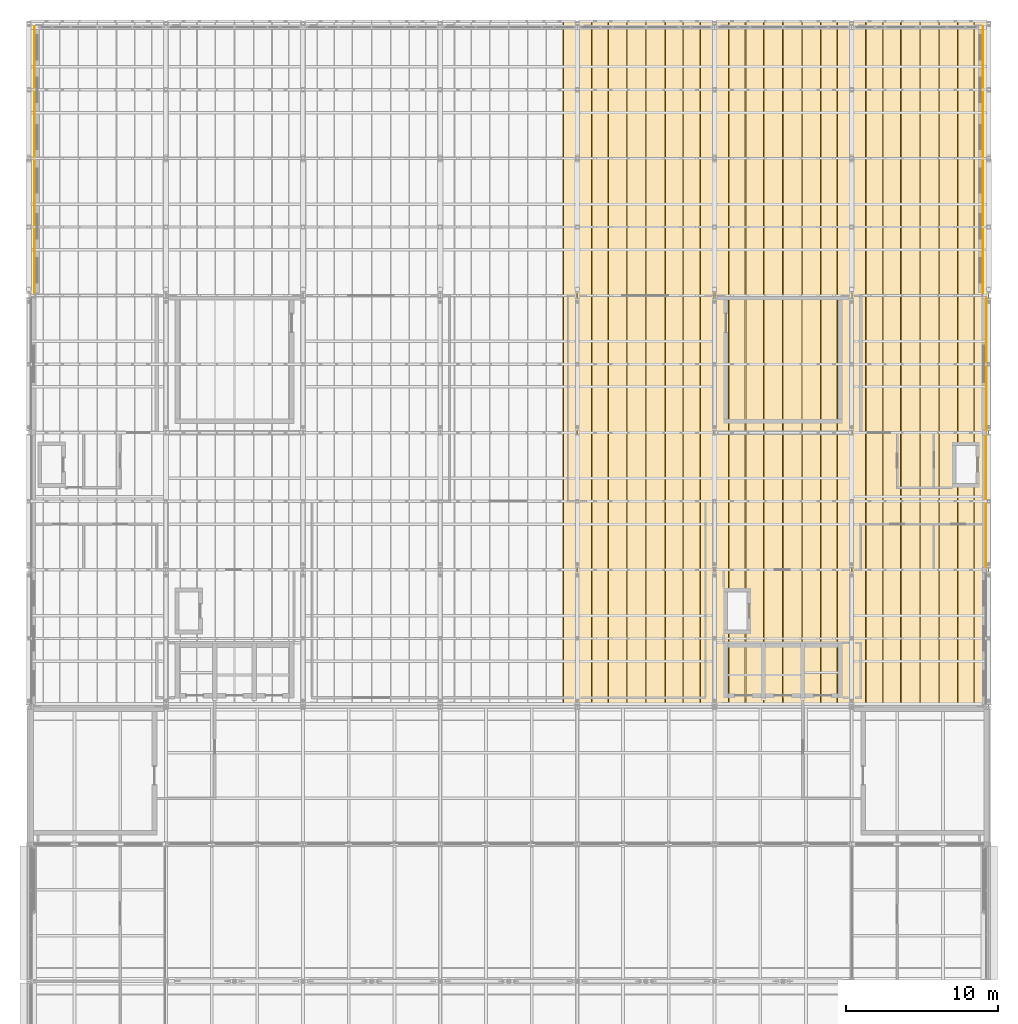
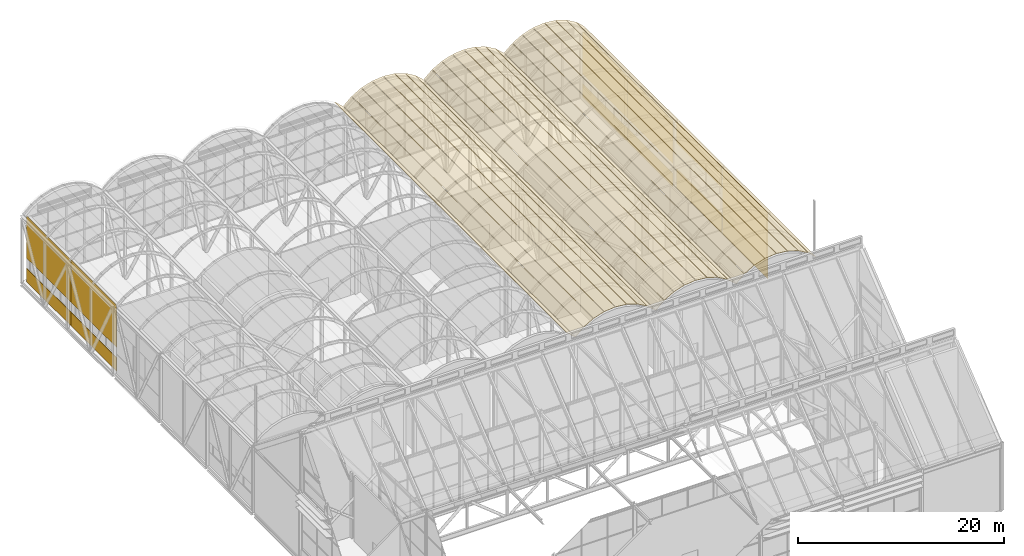
# One storey, part 144 of 144: 36 coverings.
"""IFC4 building model written with IfcOpenShell, lengths in metres."""

from ifc_helpers import new_model, si_unit, direction, frame, origin, origin_2d, place, context, subcontext, project, spatial, polyline, rectangle, outline, extrude, material, layer, layer_set, type_object, element, save


model = new_model("IFC4")

# Units and contexts
model_context = context("Model", 3, precision=1e-05, world=origin(), true_north=direction((0.0, 1.0)))
body_context = subcontext(model_context, "Body", "Model", "MODEL_VIEW")
ifc_project = project(units=[si_unit("LENGTHUNIT", "METRE"), si_unit("AREAUNIT", "SQUARE_METRE"), si_unit("VOLUMEUNIT", "CUBIC_METRE"), si_unit("PLANEANGLEUNIT", "RADIAN"), si_unit("MASSUNIT", "GRAM", prefix="KILO")], contexts=[model_context])

# Site, building, storey
site_placement = place(None, origin())
site = spatial("IfcSite", under=ifc_project, at=site_placement, CompositionType="ELEMENT")
building_placement = place(site_placement, origin())
building = spatial("IfcBuilding", under=site, at=building_placement, Name="Shorebreak Coast Museum", CompositionType="ELEMENT")
storey_placement = place(building_placement, frame((0.0, 0.0, 36.0)))
storey = spatial("IfcBuildingStorey", under=building, at=storey_placement, Name="L06", CompositionType="ELEMENT", Elevation=36.0)

# Coverings
ifc_material_1 = material(Name="Zinc")
ifc_layer_1 = layer(ifc_material_1, 0.0400390625)
ifc_layer_set_1 = layer_set([ifc_layer_1], Name="Zinc")
covering_type_1 = type_object("IfcCoveringType", Name="Zinc standing-seam cladding 40", PredefinedType="CLADDING", material=ifc_layer_set_1)
for number, where, z_axis, x_axis, name in (
    (1, (89.07861328125, 90.0, 8.881591796875), (0.668318843385, 0.0, 0.74387493813), (0.74387493813, 0.0, -0.668318843385), "Vault cladding V4-F8"),
    (2, (90.02001953125, 90.0, 8.07177734375), (-0.668318843385, 0.0, 0.74387493813), (0.74387493813, 0.0, 0.668318843385), "Vault cladding V5-F1"),
):
    element("IfcCovering", number, at=place(storey_placement, frame(where, z_axis=z_axis, x_axis=x_axis)), inside=storey, type_object=covering_type_1, Name=name, PredefinedType="CLADDING", context=body_context, shape_type="SweptSolid", body=[
        extrude(outline(polyline([(0.0, 0.0), (1.2117187195020975, 0.0), (1.2117187195020975, 45.0), (0.0, 45.0), (0.0, 0.0)])), origin(), (0.0, 0.0, -1.0), 0.0400390625),
    ])
covering_1_placement = place(storey_placement, frame((90.96142578125, 90.0, 8.9033203125), z_axis=(-0.49936995657, 0.0, 0.866388854081), x_axis=(0.866388854081, 0.0, 0.49936995657)))
element("IfcCovering", 3, at=covering_1_placement, inside=storey, type_object=covering_type_1, Name="Vault cladding V5-F2", PredefinedType="CLADDING", context=body_context, shape_type="SweptSolid", body=[
    extrude(outline(polyline([(0.0, 0.0), (1.2193098738507784, 0.0), (1.2193098738507784, 45.0), (0.0, 45.0), (0.0, 0.0)])), origin(), (0.0, 0.0, -1.0), 0.0400390625),
])
covering_2_placement = place(storey_placement, frame((92.057861328125, 90.0, 9.52587890625), z_axis=(-0.308734068724, 0.0, 0.95114839789), x_axis=(0.95114839789, 0.0, 0.308734068724)))
element("IfcCovering", 4, at=covering_2_placement, inside=storey, type_object=covering_type_1, Name="Vault cladding V5-F3", PredefinedType="CLADDING", context=body_context, shape_type="SweptSolid", body=[
    extrude(outline(polyline([(0.0, 0.0), (1.2233361495753898, 0.0), (1.2233361495753898, 45.0), (0.0, 45.0), (0.0, 0.0)])), origin(), (0.0, 0.0, -1.0), 0.0400390625),
])
for number, where, z_axis, x_axis, name in (
    (5, (93.261474609375, 90.0, 9.910400390625), (-0.104217990818, 0.0, 0.994554478342), (0.994554478342, 0.0, 0.104217990818), "Vault cladding V5-F4"),
    (6, (94.52001953125, 90.0, 10.0380859375), (0.104217990818, 0.0, 0.994554478342), (0.994554478342, 0.0, -0.104217990818), "Vault cladding V5-F5"),
):
    element("IfcCovering", number, at=place(storey_placement, frame(where, z_axis=z_axis, x_axis=x_axis)), inside=storey, type_object=covering_type_1, Name=name, PredefinedType="CLADDING", context=body_context, shape_type="SweptSolid", body=[
        extrude(outline(polyline([(0.0, 0.0), (1.225177590479019, 0.0), (1.225177590479019, 45.0), (0.0, 45.0), (0.0, 0.0)])), origin(), (0.0, 0.0, -1.0), 0.0400390625),
    ])
covering_3_placement = place(storey_placement, frame((95.778564453125, 90.0, 9.903564453125), z_axis=(0.308734068724, 0.0, 0.95114839789), x_axis=(0.95114839789, 0.0, -0.308734068724)))
element("IfcCovering", 7, at=covering_3_placement, inside=storey, type_object=covering_type_1, Name="Vault cladding V5-F6", PredefinedType="CLADDING", context=body_context, shape_type="SweptSolid", body=[
    extrude(outline(polyline([(0.0, 0.0), (1.2233361495753898, 0.0), (1.2233361495753898, 45.0), (0.0, 45.0), (0.0, 0.0)])), origin(), (0.0, 0.0, -1.0), 0.0400390625),
])
covering_4_placement = place(storey_placement, frame((96.982177734375, 90.0, 9.51220703125), z_axis=(0.49936995657, 0.0, 0.866388854081), x_axis=(0.866388854081, 0.0, -0.49936995657)))
element("IfcCovering", 8, at=covering_4_placement, inside=storey, type_object=covering_type_1, Name="Vault cladding V5-F7", PredefinedType="CLADDING", context=body_context, shape_type="SweptSolid", body=[
    extrude(outline(polyline([(0.0, 0.0), (1.2193098738507784, 0.0), (1.2193098738507784, 45.0), (0.0, 45.0), (0.0, 0.0)])), origin(), (0.0, 0.0, -1.0), 0.0400390625),
])
for number, where, z_axis, x_axis, name in (
    (9, (98.07861328125, 90.0, 8.881591796875), (0.668318843385, 0.0, 0.74387493813), (0.74387493813, 0.0, -0.668318843385), "Vault cladding V5-F8"),
    (10, (99.02001953125, 90.0, 8.07177734375), (-0.668318843385, 0.0, 0.74387493813), (0.74387493813, 0.0, 0.668318843385), "Vault cladding V6-F1"),
):
    element("IfcCovering", number, at=place(storey_placement, frame(where, z_axis=z_axis, x_axis=x_axis)), inside=storey, type_object=covering_type_1, Name=name, PredefinedType="CLADDING", context=body_context, shape_type="SweptSolid", body=[
        extrude(outline(polyline([(0.0, 0.0), (1.2117187195020975, 0.0), (1.2117187195020975, 45.0), (0.0, 45.0), (0.0, 0.0)])), origin(), (0.0, 0.0, -1.0), 0.0400390625),
    ])
covering_5_placement = place(storey_placement, frame((99.96142578125, 90.0, 8.9033203125), z_axis=(-0.49936995657, 0.0, 0.866388854081), x_axis=(0.866388854081, 0.0, 0.49936995657)))
element("IfcCovering", 11, at=covering_5_placement, inside=storey, type_object=covering_type_1, Name="Vault cladding V6-F2", PredefinedType="CLADDING", context=body_context, shape_type="SweptSolid", body=[
    extrude(outline(polyline([(0.0, 0.0), (1.2193098738507784, 0.0), (1.2193098738507784, 45.0), (0.0, 45.0), (0.0, 0.0)])), origin(), (0.0, 0.0, -1.0), 0.0400390625),
])
covering_6_placement = place(storey_placement, frame((101.057861328125, 90.0, 9.52587890625), z_axis=(-0.308734068724, 0.0, 0.95114839789), x_axis=(0.95114839789, 0.0, 0.308734068724)))
element("IfcCovering", 12, at=covering_6_placement, inside=storey, type_object=covering_type_1, Name="Vault cladding V6-F3", PredefinedType="CLADDING", context=body_context, shape_type="SweptSolid", body=[
    extrude(outline(polyline([(0.0, 0.0), (1.2233361495753898, 0.0), (1.2233361495753898, 45.0), (0.0, 45.0), (0.0, 0.0)])), origin(), (0.0, 0.0, -1.0), 0.0400390625),
])
for number, where, z_axis, x_axis, name in (
    (13, (102.261474609375, 90.0, 9.910400390625), (-0.104217990818, 0.0, 0.994554478342), (0.994554478342, 0.0, 0.104217990818), "Vault cladding V6-F4"),
    (14, (103.52001953125, 90.0, 10.0380859375), (0.104217990818, 0.0, 0.994554478342), (0.994554478342, 0.0, -0.104217990818), "Vault cladding V6-F5"),
):
    element("IfcCovering", number, at=place(storey_placement, frame(where, z_axis=z_axis, x_axis=x_axis)), inside=storey, type_object=covering_type_1, Name=name, PredefinedType="CLADDING", context=body_context, shape_type="SweptSolid", body=[
        extrude(outline(polyline([(0.0, 0.0), (1.225177590479019, 0.0), (1.225177590479019, 45.0), (0.0, 45.0), (0.0, 0.0)])), origin(), (0.0, 0.0, -1.0), 0.0400390625),
    ])
covering_7_placement = place(storey_placement, frame((104.778564453125, 90.0, 9.903564453125), z_axis=(0.308734068724, 0.0, 0.95114839789), x_axis=(0.95114839789, 0.0, -0.308734068724)))
element("IfcCovering", 15, at=covering_7_placement, inside=storey, type_object=covering_type_1, Name="Vault cladding V6-F6", PredefinedType="CLADDING", context=body_context, shape_type="SweptSolid", body=[
    extrude(outline(polyline([(0.0, 0.0), (1.2233361495753898, 0.0), (1.2233361495753898, 45.0), (0.0, 45.0), (0.0, 0.0)])), origin(), (0.0, 0.0, -1.0), 0.0400390625),
])
covering_8_placement = place(storey_placement, frame((105.982177734375, 90.0, 9.51220703125), z_axis=(0.49936995657, 0.0, 0.866388854081), x_axis=(0.866388854081, 0.0, -0.49936995657)))
element("IfcCovering", 16, at=covering_8_placement, inside=storey, type_object=covering_type_1, Name="Vault cladding V6-F7", PredefinedType="CLADDING", context=body_context, shape_type="SweptSolid", body=[
    extrude(outline(polyline([(0.0, 0.0), (1.2193098738507784, 0.0), (1.2193098738507784, 45.0), (0.0, 45.0), (0.0, 0.0)])), origin(), (0.0, 0.0, -1.0), 0.0400390625),
])
for number, where, z_axis, x_axis, name in (
    (17, (107.07861328125, 90.0, 8.881591796875), (0.668318843385, 0.0, 0.74387493813), (0.74387493813, 0.0, -0.668318843385), "Vault cladding V6-F8"),
    (18, (108.02001953125, 90.0, 8.07177734375), (-0.668318843385, 0.0, 0.74387493813), (0.74387493813, 0.0, 0.668318843385), "Vault cladding V7-F1"),
):
    element("IfcCovering", number, at=place(storey_placement, frame(where, z_axis=z_axis, x_axis=x_axis)), inside=storey, type_object=covering_type_1, Name=name, PredefinedType="CLADDING", context=body_context, shape_type="SweptSolid", body=[
        extrude(outline(polyline([(0.0, 0.0), (1.2117187195020975, 0.0), (1.2117187195020975, 45.0), (0.0, 45.0), (0.0, 0.0)])), origin(), (0.0, 0.0, -1.0), 0.0400390625),
    ])
covering_9_placement = place(storey_placement, frame((108.96142578125, 90.0, 8.9033203125), z_axis=(-0.49936995657, 0.0, 0.866388854081), x_axis=(0.866388854081, 0.0, 0.49936995657)))
element("IfcCovering", 19, at=covering_9_placement, inside=storey, type_object=covering_type_1, Name="Vault cladding V7-F2", PredefinedType="CLADDING", context=body_context, shape_type="SweptSolid", body=[
    extrude(outline(polyline([(0.0, 0.0), (1.2193098738507784, 0.0), (1.2193098738507784, 45.0), (0.0, 45.0), (0.0, 0.0)])), origin(), (0.0, 0.0, -1.0), 0.0400390625),
])
covering_10_placement = place(storey_placement, frame((110.057861328125, 90.0, 9.52587890625), z_axis=(-0.308734068724, 0.0, 0.95114839789), x_axis=(0.95114839789, 0.0, 0.308734068724)))
element("IfcCovering", 20, at=covering_10_placement, inside=storey, type_object=covering_type_1, Name="Vault cladding V7-F3", PredefinedType="CLADDING", context=body_context, shape_type="SweptSolid", body=[
    extrude(outline(polyline([(0.0, 0.0), (1.2233361495753898, 0.0), (1.2233361495753898, 45.0), (0.0, 45.0), (0.0, 0.0)])), origin(), (0.0, 0.0, -1.0), 0.0400390625),
])
for number, where, z_axis, x_axis, name in (
    (21, (111.261474609375, 90.0, 9.910400390625), (-0.104217990818, 0.0, 0.994554478342), (0.994554478342, 0.0, 0.104217990818), "Vault cladding V7-F4"),
    (22, (112.52001953125, 90.0, 10.0380859375), (0.104217990818, 0.0, 0.994554478342), (0.994554478342, 0.0, -0.104217990818), "Vault cladding V7-F5"),
):
    element("IfcCovering", number, at=place(storey_placement, frame(where, z_axis=z_axis, x_axis=x_axis)), inside=storey, type_object=covering_type_1, Name=name, PredefinedType="CLADDING", context=body_context, shape_type="SweptSolid", body=[
        extrude(outline(polyline([(0.0, 0.0), (1.225177590479019, 0.0), (1.225177590479019, 45.0), (0.0, 45.0), (0.0, 0.0)])), origin(), (0.0, 0.0, -1.0), 0.0400390625),
    ])
covering_11_placement = place(storey_placement, frame((113.778564453125, 90.0, 9.903564453125), z_axis=(0.308734068724, 0.0, 0.95114839789), x_axis=(0.95114839789, 0.0, -0.308734068724)))
element("IfcCovering", 23, at=covering_11_placement, inside=storey, type_object=covering_type_1, Name="Vault cladding V7-F6", PredefinedType="CLADDING", context=body_context, shape_type="SweptSolid", body=[
    extrude(outline(polyline([(0.0, 0.0), (1.2233361495753898, 0.0), (1.2233361495753898, 45.0), (0.0, 45.0), (0.0, 0.0)])), origin(), (0.0, 0.0, -1.0), 0.0400390625),
])
covering_12_placement = place(storey_placement, frame((114.982177734375, 90.0, 9.51220703125), z_axis=(0.49936995657, 0.0, 0.866388854081), x_axis=(0.866388854081, 0.0, -0.49936995657)))
element("IfcCovering", 24, at=covering_12_placement, inside=storey, type_object=covering_type_1, Name="Vault cladding V7-F7", PredefinedType="CLADDING", context=body_context, shape_type="SweptSolid", body=[
    extrude(outline(polyline([(0.0, 0.0), (1.2193098738507784, 0.0), (1.2193098738507784, 45.0), (0.0, 45.0), (0.0, 0.0)])), origin(), (0.0, 0.0, -1.0), 0.0400390625),
])
covering_13_placement = place(storey_placement, frame((116.07861328125, 90.0, 8.881591796875), z_axis=(0.668318843385, 0.0, 0.74387493813), x_axis=(0.74387493813, 0.0, -0.668318843385)))
element("IfcCovering", 25, at=covering_13_placement, inside=storey, type_object=covering_type_1, Name="Vault cladding V7-F8", PredefinedType="CLADDING", context=body_context, shape_type="SweptSolid", body=[
    extrude(outline(polyline([(0.0, 0.0), (1.2117187195020975, 0.0), (1.2117187195020975, 45.0), (0.0, 45.0), (0.0, 0.0)])), origin(), (0.0, 0.0, -1.0), 0.0400390625),
])
ifc_material_2 = material(Name="Aluminium", Category="aluminium")
ifc_layer_2 = layer(ifc_material_2, 0.0400390625)
ifc_layer_set_2 = layer_set([ifc_layer_2], Name="Aluminium")
covering_type_2 = type_object("IfcCoveringType", Name="Zinc standing-seam panel 40", PredefinedType="CLADDING", material=ifc_layer_set_2)
covering_14_placement = place(storey_placement, frame((116.826416015625, 103.5, 0.0), z_axis=(0.0, 0.0, 1.0), x_axis=(1.0, 0.0, 0.0)))
element("IfcCovering", 26, at=covering_14_placement, inside=storey, type_object=covering_type_2, Name="Zinc cladding L06 E13", PredefinedType="CLADDING", context=body_context, shape_type="SweptSolid", body=[
    extrude(rectangle(XDim=0.0400390625, YDim=8.74609375, at=origin_2d()), origin(), (0.0, 0.0, 1.0), 7.800048828125),
])
covering_15_placement = place(storey_placement, frame((116.851318359375, 112.481689453125, 0.0), z_axis=(0.0, 0.0, 1.0), x_axis=(1.0, 0.0, 0.0)))
element("IfcCovering", 27, at=covering_15_placement, inside=storey, type_object=covering_type_2, Name="Zinc cladding L06 E14", PredefinedType="CLADDING", context=body_context, shape_type="SweptSolid", body=[
    extrude(rectangle(XDim=0.0400390625, YDim=8.70947265625, at=origin_2d()), origin(), (0.0, 0.0, 1.0), 2.300048828125),
])
covering_16_placement = place(storey_placement, frame((116.851318359375, 112.481689453125, 5.300048828125), z_axis=(0.0, 0.0, 1.0), x_axis=(1.0, 0.0, 0.0)))
element("IfcCovering", 28, at=covering_16_placement, inside=storey, type_object=covering_type_2, Name="Zinc cladding L06 E15", PredefinedType="CLADDING", context=body_context, shape_type="SweptSolid", body=[
    extrude(rectangle(XDim=0.0400390625, YDim=8.70947265625, at=origin_2d()), origin(), (0.0, 0.0, 1.0), 2.5),
])
covering_17_placement = place(storey_placement, frame((116.6201171875, 121.581787109375, 0.0), z_axis=(0.0, 0.0, 1.0), x_axis=(1.0, 0.0, 0.0)))
element("IfcCovering", 29, at=covering_17_placement, inside=storey, type_object=covering_type_2, Name="Zinc cladding box L06 E9", PredefinedType="CLADDING", context=body_context, shape_type="SweptSolid", body=[
    extrude(rectangle(XDim=0.0400390625, YDim=8.83642578125, at=origin_2d()), origin(), (0.0, 0.0, 1.0), 1.60009765625),
])
covering_18_placement = place(storey_placement, frame((116.6201171875, 121.581787109375, 2.800048828125), z_axis=(0.0, 0.0, 1.0), x_axis=(1.0, 0.0, 0.0)))
element("IfcCovering", 30, at=covering_18_placement, inside=storey, type_object=covering_type_2, Name="Zinc cladding box L06 E10", PredefinedType="CLADDING", context=body_context, shape_type="SweptSolid", body=[
    extrude(rectangle(XDim=0.0400390625, YDim=8.83642578125, at=origin_2d()), origin(), (0.0, 0.0, 1.0), 5.0),
])
covering_19_placement = place(storey_placement, frame((116.6201171875, 130.33740234375, 0.0), z_axis=(0.0, 0.0, 1.0), x_axis=(1.0, 0.0, 0.0)))
element("IfcCovering", 31, at=covering_19_placement, inside=storey, type_object=covering_type_2, Name="Zinc cladding box L06 E11", PredefinedType="CLADDING", context=body_context, shape_type="SweptSolid", body=[
    extrude(rectangle(XDim=0.0400390625, YDim=8.675048828125, at=origin_2d()), origin(), (0.0, 0.0, 1.0), 1.60009765625),
])
covering_20_placement = place(storey_placement, frame((116.6201171875, 130.33740234375, 2.800048828125), z_axis=(0.0, 0.0, 1.0), x_axis=(1.0, 0.0, 0.0)))
element("IfcCovering", 32, at=covering_20_placement, inside=storey, type_object=covering_type_2, Name="Zinc cladding box L06 E12", PredefinedType="CLADDING", context=body_context, shape_type="SweptSolid", body=[
    extrude(rectangle(XDim=0.0400390625, YDim=8.675048828125, at=origin_2d()), origin(), (0.0, 0.0, 1.0), 5.0),
])
covering_21_placement = place(storey_placement, frame((54.3798828125, 121.581787109375, 0.0), z_axis=(0.0, 0.0, 1.0), x_axis=(1.0, 0.0, 0.0)))
element("IfcCovering", 33, at=covering_21_placement, inside=storey, type_object=covering_type_2, Name="Zinc cladding box L06 W13", PredefinedType="CLADDING", context=body_context, shape_type="SweptSolid", body=[
    extrude(rectangle(XDim=0.0400390625, YDim=8.83642578125, at=origin_2d()), origin(), (0.0, 0.0, 1.0), 1.60009765625),
])
covering_22_placement = place(storey_placement, frame((54.3798828125, 121.581787109375, 2.800048828125), z_axis=(0.0, 0.0, 1.0), x_axis=(1.0, 0.0, 0.0)))
element("IfcCovering", 34, at=covering_22_placement, inside=storey, type_object=covering_type_2, Name="Zinc cladding box L06 W14", PredefinedType="CLADDING", context=body_context, shape_type="SweptSolid", body=[
    extrude(rectangle(XDim=0.0400390625, YDim=8.83642578125, at=origin_2d()), origin(), (0.0, 0.0, 1.0), 5.0),
])
covering_23_placement = place(storey_placement, frame((54.3798828125, 130.33740234375, 0.0), z_axis=(0.0, 0.0, 1.0), x_axis=(1.0, 0.0, 0.0)))
element("IfcCovering", 35, at=covering_23_placement, inside=storey, type_object=covering_type_2, Name="Zinc cladding box L06 W15", PredefinedType="CLADDING", context=body_context, shape_type="SweptSolid", body=[
    extrude(rectangle(XDim=0.0400390625, YDim=8.675048828125, at=origin_2d()), origin(), (0.0, 0.0, 1.0), 1.60009765625),
])
covering_24_placement = place(storey_placement, frame((54.3798828125, 130.33740234375, 2.800048828125), z_axis=(0.0, 0.0, 1.0), x_axis=(1.0, 0.0, 0.0)))
element("IfcCovering", 36, at=covering_24_placement, inside=storey, type_object=covering_type_2, Name="Zinc cladding box L06 W16", PredefinedType="CLADDING", context=body_context, shape_type="SweptSolid", body=[
    extrude(rectangle(XDim=0.0400390625, YDim=8.675048828125, at=origin_2d()), origin(), (0.0, 0.0, 1.0), 5.0),
])

save(model, "model.ifc")
